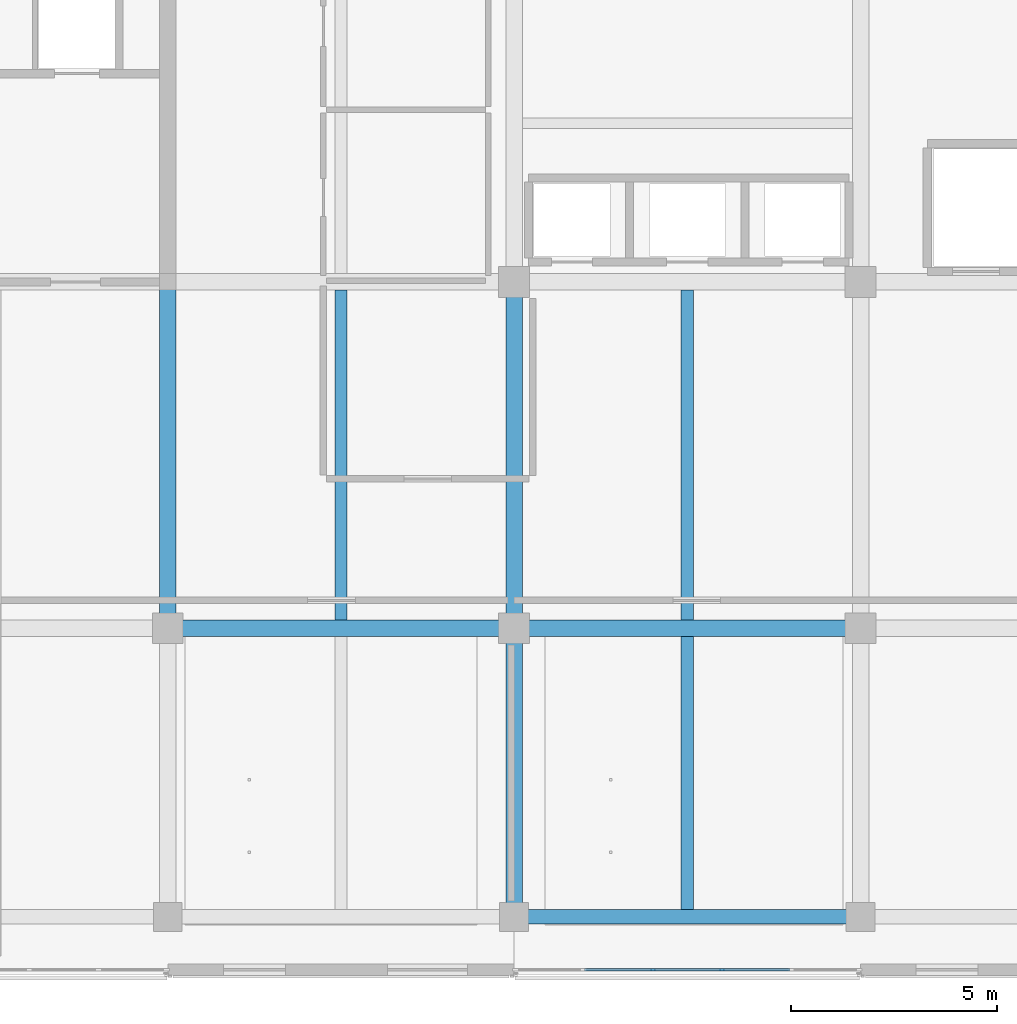
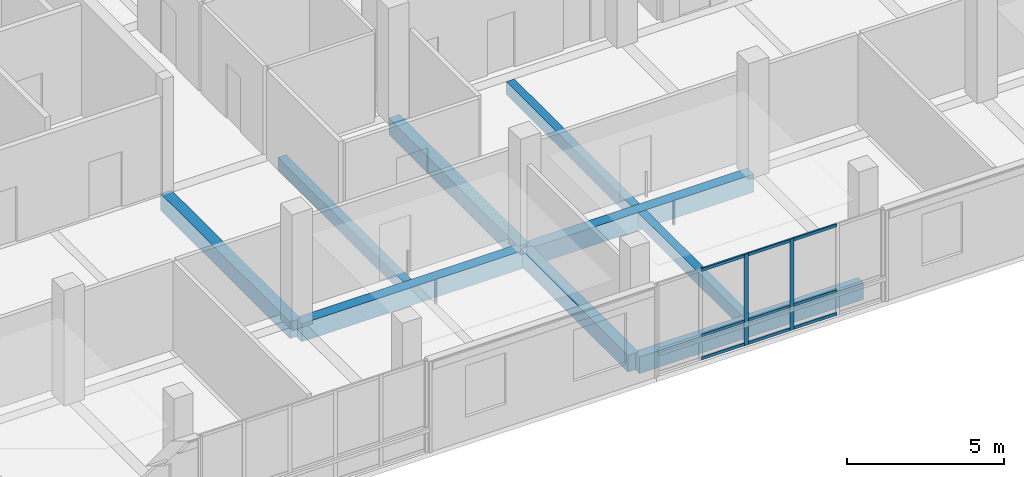
# One storey, part 3 of 32: 11 members, 9 beams, 1 element without a shape of its own.
"""IFC4 building model written with IfcOpenShell, lengths in metres."""

from ifc_helpers import new_model, si_unit, direction, frame, origin, origin_2d, place, context, subcontext, project, spatial, rectangle, extrude, material, layer, layer_set, material_profile, profile_set, type_object, element, aggregate, save


model = new_model("IFC4")

# Units and contexts
model_context = context("Model", 3, precision=1e-05, world=origin(), true_north=direction((0.0, 1.0)))
body_context = subcontext(model_context, "Body", "Model", "MODEL_VIEW")
ifc_project = project(units=[si_unit("LENGTHUNIT", "METRE"), si_unit("AREAUNIT", "SQUARE_METRE"), si_unit("VOLUMEUNIT", "CUBIC_METRE"), si_unit("PLANEANGLEUNIT", "RADIAN"), si_unit("MASSUNIT", "GRAM", prefix="KILO")], contexts=[model_context])

# Site, building, storey
site_placement = place(None, origin())
site = spatial("IfcSite", under=ifc_project, at=site_placement, CompositionType="ELEMENT")
building_placement = place(site_placement, origin())
building = spatial("IfcBuilding", under=site, at=building_placement, Name="Telukmera Botanical Conservatory", CompositionType="ELEMENT")
storey_placement = place(building_placement, frame((0.0, 0.0, 42.0)))
storey = spatial("IfcBuildingStorey", under=building, at=storey_placement, Name="L09", CompositionType="ELEMENT", Elevation=42.0)

# Beams
ifc_material_1 = material(Name="Concrete C40/50", Category="concrete")
ifc_material_profile_1 = material_profile(ifc_material_1, rectangle(XDim=0.300048828125, YDim=0.5, at=origin_2d()), Name="RC 300x500")
ifc_profile_set_1 = profile_set([ifc_material_profile_1], Name="Concrete C40/50")
beam_type_1 = type_object("IfcBeamType", Name="Beam_B24", PredefinedType="JOIST", material=ifc_profile_set_1)
beam_1_placement = place(storey_placement, frame((71.39990234375, 17.800048828125, -0.25), z_axis=(0.0, 1.0, 0.0), x_axis=(-1.0, 0.0, 0.0)))
element("IfcBeam", 1, at=beam_1_placement, inside=storey, type_object=beam_type_1, Name="Tower Secondary Floor Joist L09", PredefinedType="JOIST", context=body_context, shape_type="SweptSolid", body=[
    extrude(rectangle(XDim=0.300048828125, YDim=0.5, at=origin_2d()), origin(), (0.0, 0.0, 1.0), 8.0),
])
beam_2_placement = place(storey_placement, frame((79.800048828125, 10.77490234375, -0.25), z_axis=(0.0, 1.0, 0.0), x_axis=(-1.0, 0.0, 0.0)))
element("IfcBeam", 2, at=beam_2_placement, inside=storey, type_object=beam_type_1, Name="Tower Secondary Floor Joist L09", PredefinedType="JOIST", context=body_context, shape_type="SweptSolid", body=[
    extrude(rectangle(XDim=0.300048828125, YDim=0.5, at=origin_2d()), origin(), (0.0, 0.0, 1.0), 6.625),
])
beam_3_placement = place(storey_placement, frame((79.800048828125, 17.800048828125, -0.25), z_axis=(0.0, 1.0, 0.0), x_axis=(-1.0, 0.0, 0.0)))
element("IfcBeam", 3, at=beam_3_placement, inside=storey, type_object=beam_type_1, Name="Tower Secondary Floor Joist L09", PredefinedType="JOIST", context=body_context, shape_type="SweptSolid", body=[
    extrude(rectangle(XDim=0.300048828125, YDim=0.5, at=origin_2d()), origin(), (0.0, 0.0, 1.0), 8.0),
])
ifc_material_profile_2 = material_profile(ifc_material_1, rectangle(XDim=0.39990234375, YDim=0.699951171875, at=origin_2d()), Name="RC 400x700")
ifc_profile_set_2 = profile_set([ifc_material_profile_2], Name="Concrete C40/50")
beam_type_2 = type_object("IfcBeamType", Name="Beam_B7", PredefinedType="BEAM", material=ifc_profile_set_2)
for number, where, z_axis, x_axis, name in (
    (4, (67.280029296875, 17.60009765625, -0.35009765625), (1.0, 0.0, 0.0), (0.0, 1.0, 0.0), "Tower Grid Beam L09"),
    (5, (75.679931640625, 17.60009765625, -0.35009765625), (1.0, 0.0, 0.0), (0.0, 1.0, 0.0), "Tower Grid Beam L09"),
):
    element("IfcBeam", number, at=place(storey_placement, frame(where, z_axis=z_axis, x_axis=x_axis)), inside=storey, type_object=beam_type_2, Name=name, PredefinedType="BEAM", context=body_context, shape_type="SweptSolid", body=[
        extrude(rectangle(XDim=0.39990234375, YDim=0.699951171875, at=origin_2d()), origin(), (0.0, 0.0, 1.0), 8.239990234375),
    ])
ifc_material_profile_3 = material_profile(ifc_material_1, rectangle(XDim=0.39990234375, YDim=0.64990234375, at=origin_2d()), Name="RC 400x650")
ifc_profile_set_3 = profile_set([ifc_material_profile_3], Name="Concrete C40/50")
beam_type_3 = type_object("IfcBeamType", Name="Beam_B8", PredefinedType="BEAM", material=ifc_profile_set_3)
beam_4_placement = place(storey_placement, frame((67.199951171875, 17.679931640625, -0.324951171875), z_axis=(0.0, 1.0, 0.0), x_axis=(-1.0, 0.0, 0.0)))
element("IfcBeam", 6, at=beam_4_placement, inside=storey, type_object=beam_type_3, Name="Tower Transverse Beam L09", PredefinedType="BEAM", context=body_context, shape_type="SweptSolid", body=[
    extrude(rectangle(XDim=0.39990234375, YDim=0.64990234375, at=origin_2d()), origin(), (0.0, 0.0, 1.0), 8.239990234375),
])
beam_5_placement = place(storey_placement, frame((75.60009765625, 10.679931640625, -0.324951171875), z_axis=(0.0, 1.0, 0.0), x_axis=(-1.0, 0.0, 0.0)))
element("IfcBeam", 7, at=beam_5_placement, inside=storey, type_object=beam_type_3, Name="Tower Transverse Beam L09", PredefinedType="BEAM", context=body_context, shape_type="SweptSolid", body=[
    extrude(rectangle(XDim=0.39990234375, YDim=0.64990234375, at=origin_2d()), origin(), (0.0, 0.0, 1.0), 6.840087890625),
])
beam_6_placement = place(storey_placement, frame((75.60009765625, 17.679931640625, -0.324951171875), z_axis=(0.0, 1.0, 0.0), x_axis=(-1.0, 0.0, 0.0)))
element("IfcBeam", 8, at=beam_6_placement, inside=storey, type_object=beam_type_3, Name="Tower Transverse Beam L09", PredefinedType="BEAM", context=body_context, shape_type="SweptSolid", body=[
    extrude(rectangle(XDim=0.39990234375, YDim=0.64990234375, at=origin_2d()), origin(), (0.0, 0.0, 1.0), 8.239990234375),
])
ifc_material_2 = material(Name="Precast concrete C40/50", Category="concrete")
ifc_material_profile_4 = material_profile(ifc_material_2, rectangle(XDim=0.35009765625, YDim=0.64990234375, at=origin_2d()), Name="PC 350x650")
ifc_profile_set_4 = profile_set([ifc_material_profile_4], Name="Precast concrete C40/50")
beam_type_4 = type_object("IfcBeamType", Name="Beam_SP3", PredefinedType="SPANDREL", material=ifc_profile_set_4)
beam_7_placement = place(storey_placement, frame((75.679931640625, 10.60009765625, -0.324951171875), z_axis=(1.0, 0.0, 0.0), x_axis=(0.0, 1.0, 0.0)))
element("IfcBeam", 9, at=beam_7_placement, inside=storey, type_object=beam_type_4, Name="Tower Grid Beam L09", PredefinedType="SPANDREL", context=body_context, shape_type="SweptSolid", body=[
    extrude(rectangle(XDim=0.35009765625, YDim=0.64990234375, at=origin_2d()), origin(), (0.0, 0.0, 1.0), 8.239990234375),
])

# Curtain wall, members
ifc_material_3 = material(Name="Anodised aluminium 6063-T6", Category="aluminium")
ifc_layer = layer(ifc_material_3, 0.179931640625)
ifc_layer_set = layer_set([ifc_layer], Name="Anodised aluminium 6063-T6")
curtain_wall_type = type_object("IfcCurtainWallType", Name="Tower Research Laboratory Unitised Curtain Wall", PredefinedType="USERDEFINED", material=ifc_layer_set)
curtain_wall_placement = place(storey_placement, origin())
curtain_wall = element("IfcCurtainWall", 10, at=curtain_wall_placement, inside=storey, type_object=curtain_wall_type, Name="Unitised Curtain Wall CW15 V4:L09:S4", ObjectType="UNITISED CURTAIN WALL", PredefinedType="USERDEFINED")
ifc_material_profile_5 = material_profile(ifc_material_3, rectangle(XDim=0.06005859375, YDim=0.139892578125, at=origin_2d()), Name="ALU MULL 60x140")
ifc_profile_set_5 = profile_set([ifc_material_profile_5], Name="Anodised aluminium 6063-T6")
member_type_1 = type_object("IfcMemberType", Name="Curtain Wall Extruded Mullion 60x140", PredefinedType="MULLION", material=ifc_profile_set_5)
member_1_placement = place(storey_placement, frame((78.96044921875, 9.320068359375, 0.0), z_axis=(0.0, 0.0, 1.0), x_axis=(0.0, 1.0, 0.0)))
member_1 = element("IfcMember", 11, at=member_1_placement, type_object=member_type_1, Name="CW15 mullion 3", PredefinedType="MULLION", context=body_context, shape_type="SweptSolid", body=[
    extrude(rectangle(XDim=0.06005859375, YDim=0.139892578125, at=origin_2d()), origin(), (0.0, 0.0, 1.0), 3.550048828125),
])
member_2_placement = place(storey_placement, frame((80.6396484375, 9.320068359375, 0.0), z_axis=(0.0, 0.0, 1.0), x_axis=(0.0, 1.0, 0.0)))
member_2 = element("IfcMember", 12, at=member_2_placement, type_object=member_type_1, Name="CW15 mullion 4", PredefinedType="MULLION", context=body_context, shape_type="SweptSolid", body=[
    extrude(rectangle(XDim=0.06005859375, YDim=0.139892578125, at=origin_2d()), origin(), (0.0, 0.0, 1.0), 3.550048828125),
])
ifc_material_profile_6 = material_profile(ifc_material_3, rectangle(XDim=0.06005859375, YDim=0.110107421875, at=origin_2d()), Name="ALU TRAN 60x110")
ifc_profile_set_6 = profile_set([ifc_material_profile_6], Name="Anodised aluminium 6063-T6")
member_type_2 = type_object("IfcMemberType", Name="Curtain Wall Extruded Transom 60x110", PredefinedType="USERDEFINED", material=ifc_profile_set_6)
member_3_placement = place(storey_placement, frame((77.311279296875, 9.320068359375, 0.054931640625), z_axis=(1.0, 0.0, 0.0), x_axis=(0.0, 1.0, 0.0)))
member_3 = element("IfcMember", 13, at=member_3_placement, type_object=member_type_2, Name="CW15 transom 2.1", ObjectType="TRANSOM", PredefinedType="USERDEFINED", context=body_context, shape_type="SweptSolid", body=[
    extrude(rectangle(XDim=0.06005859375, YDim=0.110107421875, at=origin_2d()), origin(), (0.0, 0.0, 1.0), 1.619140625),
])
member_4_placement = place(storey_placement, frame((77.311279296875, 9.320068359375, 0.949951171875), z_axis=(1.0, 0.0, 0.0), x_axis=(0.0, 1.0, 0.0)))
member_4 = element("IfcMember", 14, at=member_4_placement, type_object=member_type_2, Name="CW15 transom 2.2", ObjectType="TRANSOM", PredefinedType="USERDEFINED", context=body_context, shape_type="SweptSolid", body=[
    extrude(rectangle(XDim=0.06005859375, YDim=0.110107421875, at=origin_2d()), origin(), (0.0, 0.0, 1.0), 1.619140625),
])
member_5_placement = place(storey_placement, frame((77.311279296875, 9.320068359375, 3.4951171875), z_axis=(1.0, 0.0, 0.0), x_axis=(0.0, 1.0, 0.0)))
member_5 = element("IfcMember", 15, at=member_5_placement, type_object=member_type_2, Name="CW15 transom 2.3", ObjectType="TRANSOM", PredefinedType="USERDEFINED", context=body_context, shape_type="SweptSolid", body=[
    extrude(rectangle(XDim=0.06005859375, YDim=0.110107421875, at=origin_2d()), origin(), (0.0, 0.0, 1.0), 1.619140625),
])
member_6_placement = place(storey_placement, frame((78.990478515625, 9.320068359375, 0.054931640625), z_axis=(1.0, 0.0, 0.0), x_axis=(0.0, 1.0, 0.0)))
member_6 = element("IfcMember", 16, at=member_6_placement, type_object=member_type_2, Name="CW15 transom 3.1", ObjectType="TRANSOM", PredefinedType="USERDEFINED", context=body_context, shape_type="SweptSolid", body=[
    extrude(rectangle(XDim=0.06005859375, YDim=0.110107421875, at=origin_2d()), origin(), (0.0, 0.0, 1.0), 1.619140625),
])
member_7_placement = place(storey_placement, frame((78.990478515625, 9.320068359375, 0.949951171875), z_axis=(1.0, 0.0, 0.0), x_axis=(0.0, 1.0, 0.0)))
member_7 = element("IfcMember", 17, at=member_7_placement, type_object=member_type_2, Name="CW15 transom 3.2", ObjectType="TRANSOM", PredefinedType="USERDEFINED", context=body_context, shape_type="SweptSolid", body=[
    extrude(rectangle(XDim=0.06005859375, YDim=0.110107421875, at=origin_2d()), origin(), (0.0, 0.0, 1.0), 1.619140625),
])
member_8_placement = place(storey_placement, frame((78.990478515625, 9.320068359375, 3.4951171875), z_axis=(1.0, 0.0, 0.0), x_axis=(0.0, 1.0, 0.0)))
member_8 = element("IfcMember", 18, at=member_8_placement, type_object=member_type_2, Name="CW15 transom 3.3", ObjectType="TRANSOM", PredefinedType="USERDEFINED", context=body_context, shape_type="SweptSolid", body=[
    extrude(rectangle(XDim=0.06005859375, YDim=0.110107421875, at=origin_2d()), origin(), (0.0, 0.0, 1.0), 1.619140625),
])
member_9_placement = place(storey_placement, frame((80.669677734375, 9.320068359375, 0.054931640625), z_axis=(1.0, 0.0, 0.0), x_axis=(0.0, 1.0, 0.0)))
member_9 = element("IfcMember", 19, at=member_9_placement, type_object=member_type_2, Name="CW15 transom 4.1", ObjectType="TRANSOM", PredefinedType="USERDEFINED", context=body_context, shape_type="SweptSolid", body=[
    extrude(rectangle(XDim=0.06005859375, YDim=0.110107421875, at=origin_2d()), origin(), (0.0, 0.0, 1.0), 1.619140625),
])
member_10_placement = place(storey_placement, frame((80.669677734375, 9.320068359375, 0.949951171875), z_axis=(1.0, 0.0, 0.0), x_axis=(0.0, 1.0, 0.0)))
member_10 = element("IfcMember", 20, at=member_10_placement, type_object=member_type_2, Name="CW15 transom 4.2", ObjectType="TRANSOM", PredefinedType="USERDEFINED", context=body_context, shape_type="SweptSolid", body=[
    extrude(rectangle(XDim=0.06005859375, YDim=0.110107421875, at=origin_2d()), origin(), (0.0, 0.0, 1.0), 1.619140625),
])
member_11_placement = place(storey_placement, frame((80.669677734375, 9.320068359375, 3.4951171875), z_axis=(1.0, 0.0, 0.0), x_axis=(0.0, 1.0, 0.0)))
member_11 = element("IfcMember", 21, at=member_11_placement, type_object=member_type_2, Name="CW15 transom 4.3", ObjectType="TRANSOM", PredefinedType="USERDEFINED", context=body_context, shape_type="SweptSolid", body=[
    extrude(rectangle(XDim=0.06005859375, YDim=0.110107421875, at=origin_2d()), origin(), (0.0, 0.0, 1.0), 1.619140625),
])
aggregate(curtain_wall, [member_1, member_2, member_3, member_4, member_5, member_6, member_7, member_8, member_9, member_10, member_11])

save(model, "model.ifc")
